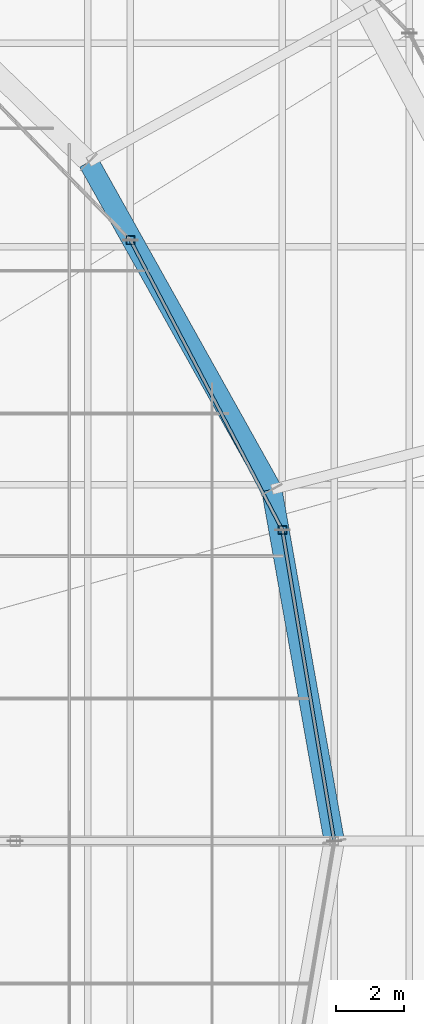
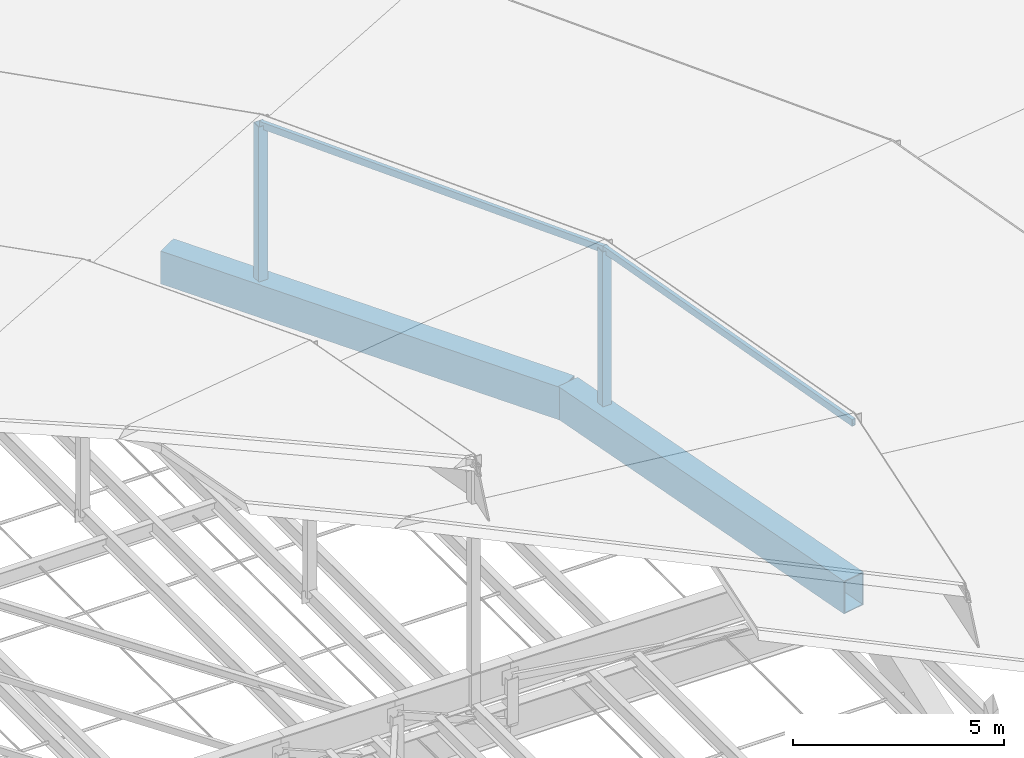
# One storey, part 120 of 184: 4 members, 2 beams.
"""IFC4 building model written with IfcOpenShell, lengths in metres."""

from ifc_helpers import new_model, si_unit, direction, frame, origin, origin_2d, place, context, subcontext, project, spatial, hollow_rectangle, extrude, material, material_profile, profile_set, type_object, element, save


model = new_model("IFC4")

# Units and contexts
model_context = context("Model", 3, precision=1e-05, world=origin(), true_north=direction((0.0, 1.0)))
body_context = subcontext(model_context, "Body", "Model", "MODEL_VIEW")
ifc_project = project(units=[si_unit("LENGTHUNIT", "METRE"), si_unit("AREAUNIT", "SQUARE_METRE"), si_unit("VOLUMEUNIT", "CUBIC_METRE"), si_unit("PLANEANGLEUNIT", "RADIAN"), si_unit("MASSUNIT", "GRAM", prefix="KILO")], contexts=[model_context])

# Site, building, storey
site_placement = place(None, origin())
site = spatial("IfcSite", under=ifc_project, at=site_placement, CompositionType="ELEMENT")
building_placement = place(site_placement, origin())
building = spatial("IfcBuilding", under=site, at=building_placement, Name="Kalgoora Escarpment Arena", CompositionType="ELEMENT")
storey_placement = place(building_placement, frame((0.0, 0.0, 27.60009765625)))
storey = spatial("IfcBuildingStorey", under=building, at=storey_placement, Name="Roof Level", CompositionType="ELEMENT", Elevation=27.60009765625)

# Beams
ifc_material_1 = material(Name="Structural steel Grade 350 (350 MPa)", Category="steel")
ifc_material_profile_1 = material_profile(ifc_material_1, hollow_rectangle(XDim=0.60009765625, YDim=0.949951171875, WallThickness=0.02490234375, at=origin_2d()))
ifc_profile_set_1 = profile_set([ifc_material_profile_1], Name="Structural steel Grade 350 (350 MPa)")
beam_type = type_object("IfcBeamType", Name="BM-RING-BOX950", PredefinedType="USERDEFINED", material=ifc_profile_set_1)
beam_1_placement = place(storey_placement, frame((146.39990234375, 64.0, -1.25), z_axis=(-0.174973315738, 0.984573175939, 0.0), x_axis=(-0.984573175939, -0.174973315738, 0.0)))
element("IfcBeam", 1, at=beam_1_placement, inside=storey, type_object=beam_type, Name="Bowl compression RING BEAM chord 01", ObjectType="GIRDER", PredefinedType="USERDEFINED", context=body_context, shape_type="SweptSolid", body=[
    extrude(hollow_rectangle(XDim=0.60009765625, YDim=0.949951171875, WallThickness=0.02490234375, at=origin_2d()), origin(), (0.0, 0.0, 1.0), 10.514892578125),
])
beam_2_placement = place(storey_placement, frame((144.56005859375, 74.352783203125, -1.25), z_axis=(-0.488075296374, 0.872801526734, 0.0), x_axis=(-0.872801526734, -0.488075296374, 0.0)))
element("IfcBeam", 2, at=beam_2_placement, inside=storey, type_object=beam_type, Name="Bowl compression RING BEAM chord 02", ObjectType="GIRDER", PredefinedType="USERDEFINED", context=body_context, shape_type="SweptSolid", body=[
    extrude(hollow_rectangle(XDim=0.60009765625, YDim=0.949951171875, WallThickness=0.02490234375, at=origin_2d()), origin(), (0.0, 0.0, 1.0), 11.05322265625),
])

# Members
ifc_material_2 = material(Name="Structural steel C450 (450 MPa)", Category="steel")
ifc_material_profile_2 = material_profile(ifc_material_2, hollow_rectangle(XDim=0.25, YDim=0.25, WallThickness=0.012451171875, at=origin_2d()))
ifc_profile_set_2 = profile_set([ifc_material_profile_2], Name="Structural steel C450 (450 MPa)")
member_type_1 = type_object("IfcMemberType", Name="MEM-PETAL-POST", PredefinedType="POST", material=ifc_profile_set_2)
for number, where, z_axis, x_axis, name in (
    (3, (144.87353515625, 73.162109375, -1.02001953125), (0.0, 0.0, 1.0), (1.0, 0.0, 0.0), "Petal RP3 vertical support post S02"),
    (4, (140.39794921875, 81.699951171875, -1.02001953125), (0.0, 0.0, 1.0), (1.0, 0.0, 0.0), "Petal RP3 vertical support post S03"),
):
    element("IfcMember", number, at=place(storey_placement, frame(where, z_axis=z_axis, x_axis=x_axis)), inside=storey, type_object=member_type_1, Name=name, PredefinedType="POST", context=body_context, shape_type="SweptSolid", body=[
        extrude(hollow_rectangle(XDim=0.25, YDim=0.25, WallThickness=0.012451171875, at=origin_2d()), origin(), (0.0, 0.0, 1.0), 4.724853515625),
    ])
ifc_material_3 = material(Name="Structural steel C350 (350 MPa)", Category="steel")
ifc_material_profile_3 = material_profile(ifc_material_3, hollow_rectangle(XDim=0.10009765625, YDim=0.199951171875, WallThickness=0.009033203125, at=origin_2d()))
ifc_profile_set_3 = profile_set([ifc_material_profile_3], Name="Structural steel C350 (350 MPa)")
member_type_2 = type_object("IfcMemberType", Name="MEM-PURLIN-RHS", PredefinedType="PURLIN", material=ifc_profile_set_3)
member_1_placement = place(storey_placement, frame((146.39990234375, 64.0, 3.684814453125), z_axis=(-0.164330789251, 0.986405287751, 0.0), x_axis=(-0.986405287751, -0.164330789251, 0.0)))
element("IfcMember", 5, at=member_1_placement, inside=storey, type_object=member_type_2, Name="Petal RP3 eave support ring purlin S01", PredefinedType="PURLIN", context=body_context, shape_type="SweptSolid", body=[
    extrude(hollow_rectangle(XDim=0.10009765625, YDim=0.199951171875, WallThickness=0.009033203125, at=origin_2d()), origin(), (0.0, 0.0, 1.0), 9.288330078125),
])
member_2_placement = place(storey_placement, frame((144.87353515625, 73.162109375, 3.684814453125), z_axis=(-0.464282362336, 0.885687240522, 0.0), x_axis=(-0.885687240522, -0.464282362336, 0.0)))
element("IfcMember", 6, at=member_2_placement, inside=storey, type_object=member_type_2, Name="Petal RP3 eave support ring purlin S02", PredefinedType="PURLIN", context=body_context, shape_type="SweptSolid", body=[
    extrude(hollow_rectangle(XDim=0.10009765625, YDim=0.199951171875, WallThickness=0.009033203125, at=origin_2d()), origin(), (0.0, 0.0, 1.0), 9.639892578125),
])

save(model, "model.ifc")
